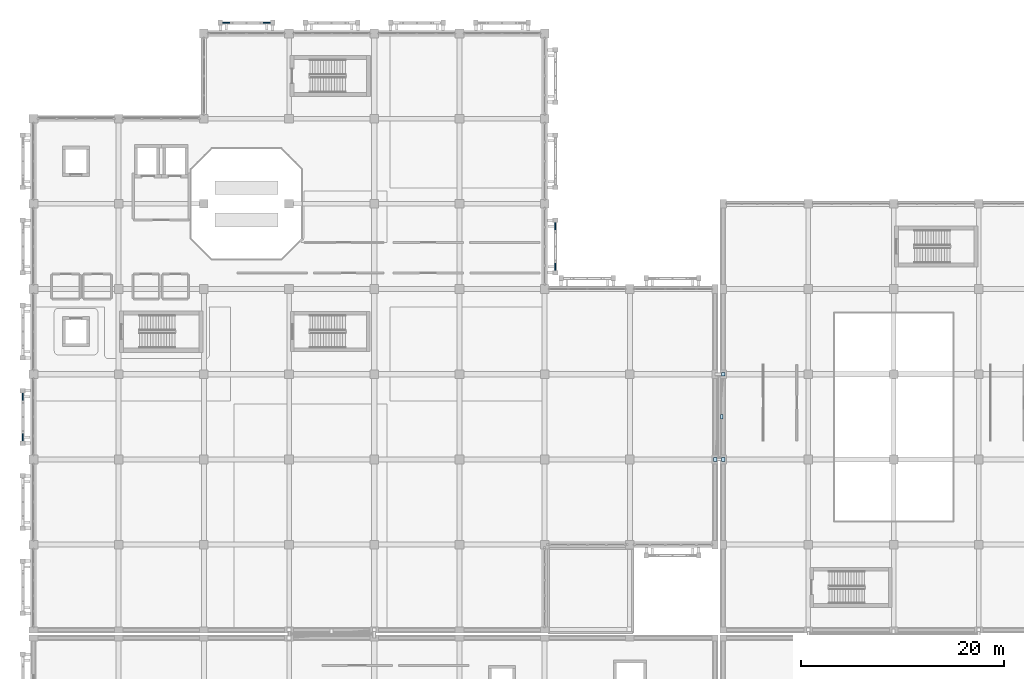
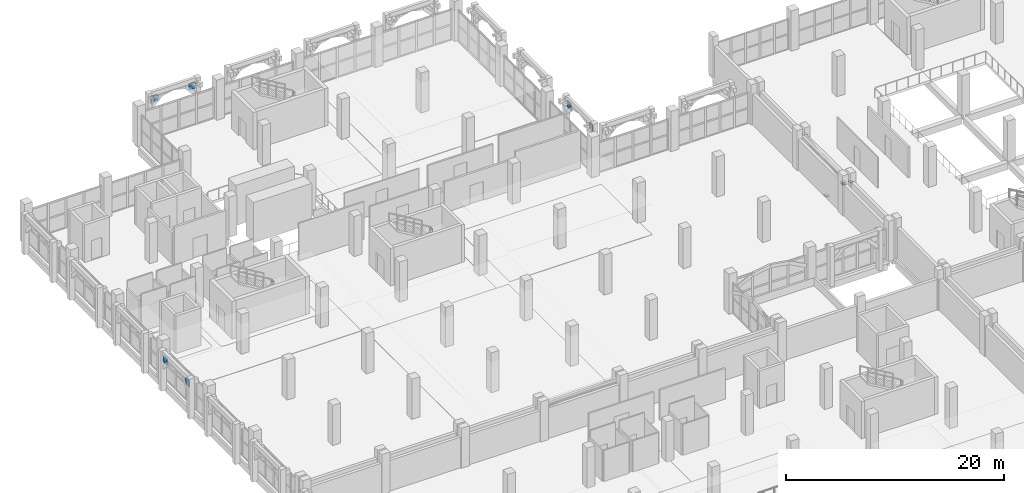
# One storey, part 110 of 137: 11 plates.
"""IFC4 building model written with IfcOpenShell, lengths in metres."""

from ifc_helpers import new_model, si_unit, direction, frame, origin, origin_2d, place, context, subcontext, project, spatial, rectangle, extrude, material, layer, layer_set, type_object, element, save


model = new_model("IFC4")

# Units and contexts
model_context = context("Model", 3, precision=1e-05, world=origin(), true_north=direction((0.0, 1.0)))
body_context = subcontext(model_context, "Body", "Model", "MODEL_VIEW")
ifc_project = project(units=[si_unit("LENGTHUNIT", "METRE"), si_unit("AREAUNIT", "SQUARE_METRE"), si_unit("VOLUMEUNIT", "CUBIC_METRE"), si_unit("PLANEANGLEUNIT", "RADIAN"), si_unit("MASSUNIT", "GRAM", prefix="KILO")], contexts=[model_context])

# Site, building, storey
site_placement = place(None, origin())
site = spatial("IfcSite", under=ifc_project, at=site_placement, CompositionType="ELEMENT")
building_placement = place(site_placement, origin())
building = spatial("IfcBuilding", under=site, at=building_placement, Name="Xazarin Passage Department Store", CompositionType="ELEMENT")
storey_placement = place(building_placement, frame((0.0, 0.0, 5.39990234375)))
storey = spatial("IfcBuildingStorey", under=building, at=storey_placement, Name="L01", CompositionType="ELEMENT", Elevation=5.39990234375)

# Plates
ifc_material_1 = material(Name="Precast concrete C40/50", Category="concrete")
ifc_layer_1 = layer(ifc_material_1, 0.10009765625)
ifc_layer_set_1 = layer_set([ifc_layer_1], Name="Precast concrete C40/50")
plate_type_1 = type_object("IfcPlateType", Name="ARC-PLT-SCR-03", PredefinedType="USERDEFINED", material=ifc_layer_set_1)
for number, where, z_axis, x_axis, name in (
    (1, (19.0, 111.050048828125, 3.26025390625), (0.0, 0.0, 1.0), (1.0, 0.0, 0.0), "L01 V1 Arch Spandrel Tympanum 0003"),
    (2, (23.0, 111.050048828125, 3.26025390625), (0.0, 0.0, 1.0), (1.0, 0.0, 0.0), "L01 V1 Arch Spandrel Tympanum 0004"),
    (3, (51.449951171875, 87.0, 3.26025390625), (0.0, 0.0, 1.0), (0.0, 1.0, 0.0), "L01 V1 Arch Spandrel Tympanum 0143"),
    (4, (51.449951171875, 91.0, 3.26025390625), (0.0, 0.0, 1.0), (0.0, 1.0, 0.0), "L01 V1 Arch Spandrel Tympanum 0144"),
):
    element("IfcPlate", number, at=place(storey_placement, frame(where, z_axis=z_axis, x_axis=x_axis)), inside=storey, type_object=plate_type_1, Name=name, ObjectType="SCREEN PANEL", PredefinedType="USERDEFINED", context=body_context, shape_type="SweptSolid", body=[
        extrude(rectangle(XDim=0.679931640625, YDim=0.10009765625, at=origin_2d()), origin(), (0.0, 0.0, 1.0), 0.719970703125),
    ])
ifc_layer_2 = layer(ifc_material_1, 0.1201171875)
ifc_layer_set_2 = layer_set([ifc_layer_2], Name="Precast concrete C40/50")
plate_type_2 = type_object("IfcPlateType", Name="ARC-PLT-SCR-05", PredefinedType="USERDEFINED", material=ifc_layer_set_2)
for number, where, z_axis, x_axis, name in (
    (5, (-1.050048828125, 70.199951171875, 3.26025390625), (0.0, 0.0, 1.0), (0.0, 1.0, 0.0), "L01 V1 Arch Spandrel Tympanum 0085"),
    (6, (-1.050048828125, 74.199951171875, 3.26025390625), (0.0, 0.0, 1.0), (0.0, 1.0, 0.0), "L01 V1 Arch Spandrel Tympanum 0086"),
):
    element("IfcPlate", number, at=place(storey_placement, frame(where, z_axis=z_axis, x_axis=x_axis)), inside=storey, type_object=plate_type_2, Name=name, ObjectType="SCREEN PANEL", PredefinedType="USERDEFINED", context=body_context, shape_type="SweptSolid", body=[
        extrude(rectangle(XDim=0.679931640625, YDim=0.1201171875, at=origin_2d()), origin(), (0.0, 0.0, 1.0), 0.719970703125),
    ])
ifc_material_2 = material(Name="Steel S355", Category="steel")
ifc_layer_3 = layer(ifc_material_2, 0.030029296875)
ifc_layer_set_3 = layer_set([ifc_layer_3], Name="Steel S355")
plate_type_3 = type_object("IfcPlateType", Name="STR-PLT-BRG30", PredefinedType="USERDEFINED", material=ifc_layer_set_3)
plate_placement = place(storey_placement, frame((67.85009765625, 72.199951171875, -0.81982421875), z_axis=(0.0, 0.0, 1.0), x_axis=(1.0, 0.0, 0.0)))
element("IfcPlate", 7, at=plate_placement, inside=storey, type_object=plate_type_3, Name="L01 BR-V1-V2N PTFE Sliding Bearing Plate", ObjectType="BASE PLATE", PredefinedType="USERDEFINED", context=body_context, shape_type="SweptSolid", body=[
    extrude(rectangle(XDim=0.280029296875, YDim=0.449951171875, at=origin_2d()), origin(), (0.0, 0.0, 1.0), 0.030029296875),
])
ifc_layer_4 = layer(ifc_material_2, 0.02001953125)
ifc_layer_set_4 = layer_set([ifc_layer_4], Name="Steel S355")
plate_type_4 = type_object("IfcPlateType", Name="STR-PLT-CAP20", PredefinedType="USERDEFINED", material=ifc_layer_set_4)
for number, where, z_axis, x_axis, name in (
    (8, (67.199951171875, 68.0, 3.23193359375), (0.0, 0.0, 1.0), (1.0, 0.0, 0.0), "L01 BR-V1-V2N Bridge Member End Cap 1"),
    (9, (68.0, 68.0, 3.23193359375), (0.0, 0.0, 1.0), (1.0, 0.0, 0.0), "L01 BR-V1-V2N Bridge Member End Cap 2"),
    (10, (67.199951171875, 68.0, 3.45703125), (0.0, 0.0, 1.0), (1.0, 0.0, 0.0), "L01 BR-V1-V2N Bridge Member End Cap 3"),
    (11, (68.0, 76.39990234375, 3.45703125), (0.0, 0.0, 1.0), (1.0, 0.0, 0.0), "L01 BR-V1-V2N Bridge Member End Cap 4"),
):
    element("IfcPlate", number, at=place(storey_placement, frame(where, z_axis=z_axis, x_axis=x_axis)), inside=storey, type_object=plate_type_4, Name=name, ObjectType="GUSSET PLATE", PredefinedType="USERDEFINED", context=body_context, shape_type="SweptSolid", body=[
        extrude(rectangle(XDim=0.360107421875, YDim=0.360107421875, at=origin_2d()), origin(), (0.0, 0.0, 1.0), 0.035888671875),
    ])

save(model, "model.ifc")
